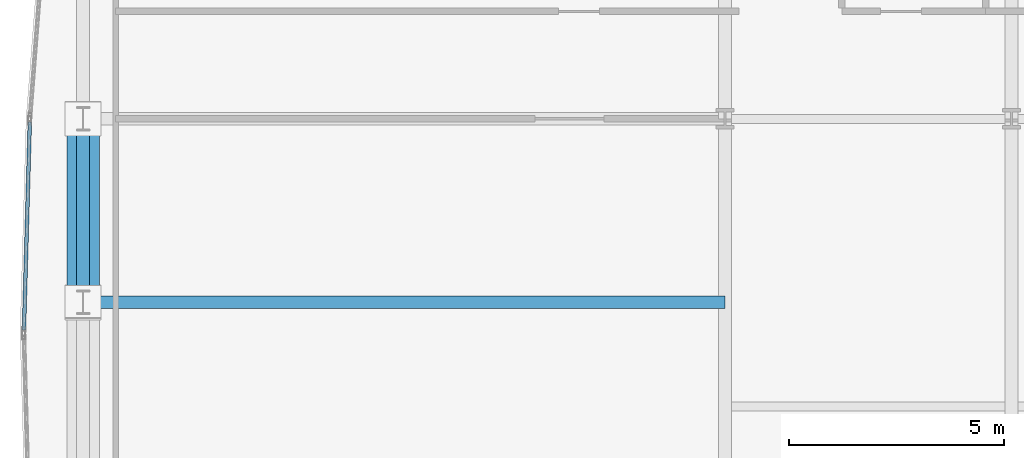
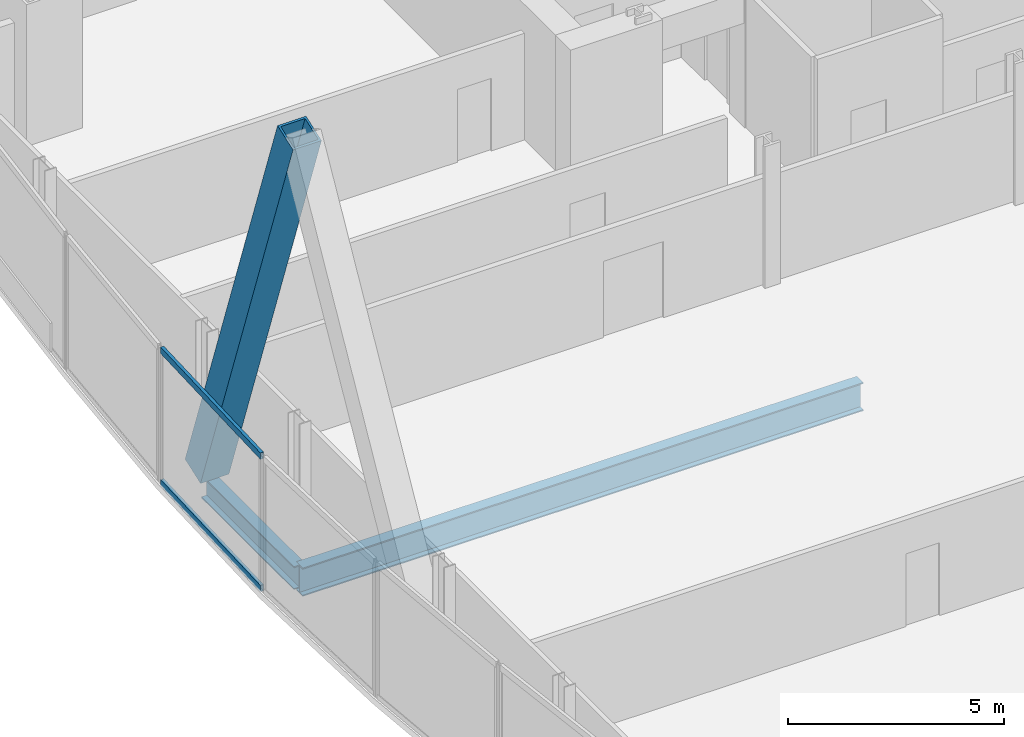
# One storey, part 11 of 32: 3 members, 2 beams, 1 element without a shape of its own.
"""IFC4 building model written with IfcOpenShell, lengths in metres."""

from ifc_helpers import new_model, si_unit, direction, frame, origin, origin_2d, place, context, subcontext, project, spatial, hollow_rectangle, i_section, extrude, material, material_profile, profile_set, type_object, element, aggregate, save


model = new_model("IFC4")

# Units and contexts
model_context = context("Model", 3, precision=1e-05, world=origin(), true_north=direction((0.0, 1.0)))
body_context = subcontext(model_context, "Body", "Model", "MODEL_VIEW")
ifc_project = project(units=[si_unit("LENGTHUNIT", "METRE"), si_unit("AREAUNIT", "SQUARE_METRE"), si_unit("VOLUMEUNIT", "CUBIC_METRE"), si_unit("PLANEANGLEUNIT", "RADIAN"), si_unit("MASSUNIT", "GRAM", prefix="KILO")], contexts=[model_context])

# Site, building, storey
site_placement = place(None, origin())
site = spatial("IfcSite", under=ifc_project, at=site_placement, CompositionType="ELEMENT")
building_placement = place(site_placement, origin())
building = spatial("IfcBuilding", under=site, at=building_placement, Name="Khoronbel Lancet Exchange", CompositionType="ELEMENT")
storey_placement = place(building_placement, frame((0.0, 0.0, 94.60009765625)))
storey = spatial("IfcBuildingStorey", under=building, at=storey_placement, Name="L22", CompositionType="ELEMENT", Elevation=94.60009765625)

# Beams
ifc_material_1 = material(Name="Steel S355", Category="steel")
ifc_material_profile_1 = material_profile(ifc_material_1, i_section(OverallWidth=0.300048828125, OverallDepth=0.800048828125, WebThickness=0.017578125, FlangeThickness=0.032958984375, at=origin_2d()), Name="HEB 800")
ifc_profile_set_1 = profile_set([ifc_material_profile_1], Name="Steel S355")
beam_type_1 = type_object("IfcBeamType", Name="BM-BG2", PredefinedType="BEAM", material=ifc_profile_set_1)
beam_1_placement = place(storey_placement, frame((3.27001953125, 31.425048828125, -0.580078125), z_axis=(1.0, 0.0, 0.0), x_axis=(0.0, 1.0, 0.0)))
element("IfcBeam", 1, at=beam_1_placement, inside=storey, type_object=beam_type_1, Name="Level L22 west lens tie girder LG2W", PredefinedType="BEAM", context=body_context, shape_type="SweptSolid", body=[
    extrude(i_section(OverallWidth=0.300048828125, OverallDepth=0.800048828125, WebThickness=0.017578125, FlangeThickness=0.032958984375, at=origin_2d()), origin(), (0.0, 0.0, 1.0), 14.955078125),
])
ifc_material_profile_2 = material_profile(ifc_material_1, i_section(OverallWidth=0.300048828125, OverallDepth=0.64990234375, WebThickness=0.01611328125, FlangeThickness=0.031005859375, at=origin_2d()), Name="HEB 650")
ifc_profile_set_2 = profile_set([ifc_material_profile_2], Name="Steel S355")
beam_type_2 = type_object("IfcBeamType", Name="BM-BSP1", PredefinedType="SPANDREL", material=ifc_profile_set_2)
beam_2_placement = place(storey_placement, frame((3.27001953125, 35.699951171875, -0.505126953125), z_axis=(0.0, -1.0, 0.0), x_axis=(1.0, 0.0, 0.0)))
element("IfcBeam", 2, at=beam_2_placement, inside=storey, type_object=beam_type_2, Name="Level L22 perimeter spandrel beam SP18", PredefinedType="SPANDREL", context=body_context, shape_type="SweptSolid", body=[
    extrude(i_section(OverallWidth=0.300048828125, OverallDepth=0.64990234375, WebThickness=0.01611328125, FlangeThickness=0.031005859375, at=origin_2d()), origin(), (0.0, 0.0, 1.0), 4.27490234375),
])

# Curtain wall, members
ifc_material_2 = material(Name="Low-E Solar Control Insulating Glass", Category="glass")
curtain_wall_type = type_object("IfcCurtainWallType", Name="CW-4", PredefinedType="NOTDEFINED", material=ifc_material_2)
curtain_wall_placement = place(storey_placement, origin())
curtain_wall = element("IfcCurtainWall", 3, at=curtain_wall_placement, inside=storey, type_object=curtain_wall_type, Name="Unitised curtain wall CW-L22-E07", PredefinedType="NOTDEFINED")
ifc_material_3 = material(Name="Bronze-Anodised Aluminium 6063-T6", Category="aluminium")
ifc_material_profile_3 = material_profile(ifc_material_3, hollow_rectangle(XDim=0.0849609375, YDim=0.179931640625, WallThickness=0.0048828125, at=origin_2d()), Name="ALU TRANSOM 85x180")
ifc_profile_set_3 = profile_set([ifc_material_profile_3], Name="Bronze-Anodised Aluminium 6063-T6")
member_type_1 = type_object("IfcMemberType", Name="MEM-CWT1", PredefinedType="USERDEFINED", material=ifc_profile_set_3)
member_1_placement = place(storey_placement, frame((1.89208984375, 30.77490234375, 0.04248046875), z_axis=(0.028154300716, 0.999603589105, 0.0), x_axis=(-0.999603589105, 0.028154300716, 0.0)))
member_1 = element("IfcMember", 4, at=member_1_placement, type_object=member_type_1, Name="CW4 transom 1.1", ObjectType="TRANSOM", PredefinedType="USERDEFINED", context=body_context, shape_type="SweptSolid", body=[
    extrude(hollow_rectangle(XDim=0.0849609375, YDim=0.179931640625, WallThickness=0.0048828125, at=origin_2d()), origin(), (0.0, 0.0, 1.0), 4.847412109375),
])
member_2_placement = place(storey_placement, frame((1.89208984375, 30.77490234375, 3.77734375), z_axis=(0.028154300716, 0.999603589105, 0.0), x_axis=(-0.999603589105, 0.028154300716, 0.0)))
member_2 = element("IfcMember", 5, at=member_2_placement, type_object=member_type_1, Name="CW4 transom 1.2", ObjectType="TRANSOM", PredefinedType="USERDEFINED", context=body_context, shape_type="SweptSolid", body=[
    extrude(hollow_rectangle(XDim=0.0849609375, YDim=0.179931640625, WallThickness=0.0048828125, at=origin_2d()), origin(), (0.0, 0.0, 1.0), 4.847412109375),
])
aggregate(curtain_wall, [member_1, member_2])

# Member
ifc_material_4 = material(Name="Steel S460", Category="steel")
ifc_material_profile_4 = material_profile(ifc_material_4, hollow_rectangle(XDim=0.760009765625, YDim=0.760009765625, WallThickness=0.054931640625, at=origin_2d()), Name="BOX 760x760x55")
ifc_profile_set_4 = profile_set([ifc_material_profile_4], Name="Steel S460")
member_type_2 = type_object("IfcMemberType", Name="MEM-MB1", PredefinedType="BRACE", material=ifc_profile_set_4)
member_3_placement = place(storey_placement, frame((3.27001953125, 35.699951171875, 0.0), z_axis=(0.0, -0.335583554792, 0.94201044461), x_axis=(1.0, 0.0, 0.0)))
element("IfcMember", 6, at=member_3_placement, inside=storey, type_object=member_type_2, Name="Perimeter lancet brace tier 7 W-P-R", PredefinedType="BRACE", context=body_context, shape_type="SweptSolid", body=[
    extrude(hollow_rectangle(XDim=0.760009765625, YDim=0.760009765625, WallThickness=0.054931640625, at=origin_2d()), origin(), (0.0, 0.0, 1.0), 12.73876953125),
])

save(model, "model.ifc")
